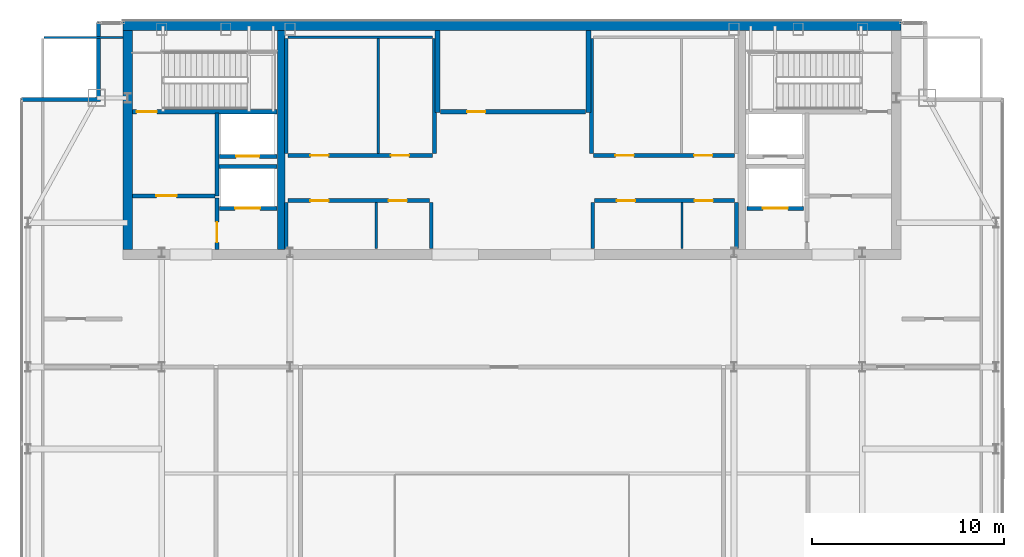
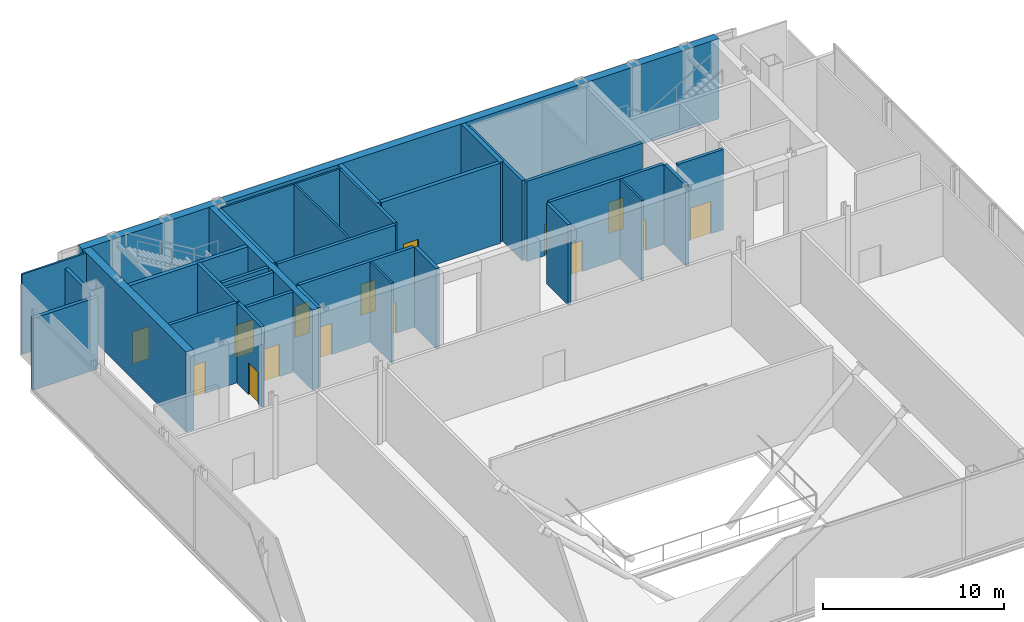
# One storey, part 20 of 23: 32 walls, 15 doors, 15 openings.
"""IFC4 building model written with IfcOpenShell, lengths in metres."""

from ifc_helpers import new_model, si_unit, direction, frame, frame_2d, origin, place, context, subcontext, project, spatial, rectangle, extrude, material, layer, layer_set, type_object, element, fill, save


model = new_model("IFC4")

# Units and contexts
model_context = context("Model", 3, precision=1e-05, world=origin(), true_north=direction((0.0, 1.0)))
body_context = subcontext(model_context, "Body", "Model", "MODEL_VIEW")
ifc_project = project(units=[si_unit("LENGTHUNIT", "METRE"), si_unit("AREAUNIT", "SQUARE_METRE"), si_unit("VOLUMEUNIT", "CUBIC_METRE"), si_unit("PLANEANGLEUNIT", "RADIAN"), si_unit("MASSUNIT", "GRAM", prefix="KILO")], contexts=[model_context])

# Site, building, storey
site_placement = place(None, origin())
site = spatial("IfcSite", under=ifc_project, at=site_placement, CompositionType="ELEMENT")
building_placement = place(site_placement, origin())
building = spatial("IfcBuilding", under=site, at=building_placement, Name="Khoronbel Lancet Exchange", CompositionType="ELEMENT")
storey_placement = place(building_placement, frame((0.0, 0.0, 356.199951171875)))
storey = spatial("IfcBuildingStorey", under=building, at=storey_placement, Name="L92", CompositionType="ELEMENT", Elevation=356.199951171875)

# Walls
ifc_material_1 = material(Name="Concrete C60/75", Category="concrete")
ifc_layer_1 = layer(ifc_material_1, 0.5, Name="Concrete C60/75")
ifc_layer_set_1 = layer_set([ifc_layer_1], Name="Concrete C60/75")
wall_type_1 = type_object("IfcWallType", Name="WL-CW4", PredefinedType="SHEAR", material=ifc_layer_set_1)
wall_1_placement = place(storey_placement, frame((16.199951171875, 53.449951171875, 0.0), z_axis=(0.0, 0.0, 1.0), x_axis=(1.0, 0.0, 0.0)))
element("IfcWall", 1, at=wall_1_placement, inside=storey, type_object=wall_type_1, Name="Level L92 rear core north shear wall", PredefinedType="SHEAR", context=body_context, shape_type="SweptSolid", body=[
    extrude(rectangle(XDim=40.5, YDim=0.5, at=frame_2d((20.25, 0.0))), origin(), (0.0, 0.0, 1.0), 5.400146484375),
])
wall_2_placement = place(storey_placement, frame((16.449951171875, 41.800048828125, 0.0), z_axis=(0.0, 0.0, 1.0), x_axis=(0.0, 1.0, 0.0)))
element("IfcWall", 2, at=wall_2_placement, inside=storey, type_object=wall_type_1, Name="Level L92 rear core west shear wall", PredefinedType="SHEAR", context=body_context, shape_type="SweptSolid", body=[
    extrude(rectangle(XDim=11.39990234375, YDim=0.5, at=frame_2d((5.699951171875, 0.0))), origin(), (0.0, 0.0, 1.0), 5.400146484375),
])
ifc_material_2 = material(Name="Precast concrete C40/50", Category="concrete")
ifc_layer_2 = layer(ifc_material_2, 0.25, Name="Precast concrete C40/50")
ifc_layer_set_2 = layer_set([ifc_layer_2], Name="Precast concrete C40/50")
wall_type_2 = type_object("IfcWallType", Name="WL-EXT250", PredefinedType="SOLIDWALL", material=ifc_layer_set_2)
wall_3_placement = place(storey_placement, frame((10.919921875, 49.610107421875, 0.0), z_axis=(0.0, 0.0, 1.0), x_axis=(1.0, 0.0, 0.0)))
element("IfcWall", 3, at=wall_3_placement, inside=storey, type_object=wall_type_2, Name="Level L92 notched-corner limestone pier 04", PredefinedType="SOLIDWALL", context=body_context, shape_type="SweptSolid", body=[
    extrude(rectangle(XDim=4.130126953125, YDim=0.219970703125, at=frame_2d((2.06494140625, 0.0))), origin(), (0.0, 0.0, 1.0), 4.840087890625),
])
wall_4_placement = place(storey_placement, frame((14.93994140625, 49.719970703125, 0.0), z_axis=(0.0, 0.0, 1.0), x_axis=(0.0, 1.0, 0.0)))
element("IfcWall", 4, at=wall_4_placement, inside=storey, type_object=wall_type_2, Name="Level L92 notched-corner limestone pier 05", PredefinedType="SOLIDWALL", context=body_context, shape_type="SweptSolid", body=[
    extrude(rectangle(XDim=3.909912109375, YDim=0.219970703125, at=frame_2d((1.955078125, 0.0))), origin(), (0.0, 0.0, 1.0), 4.840087890625),
])
ifc_material_3 = material(Name="Acoustic Metal-Stud & Mineral-Wool Gypsum Partition 120 mm", Category="gypsum")
ifc_layer_3 = layer(ifc_material_3, 0.1201171875, Name="Acoustic Metal-Stud & Mineral-Wool Gypsum Partition 120 mm")
ifc_layer_set_3 = layer_set([ifc_layer_3], Name="Acoustic Metal-Stud & Mineral-Wool Gypsum Partition 120 mm")
wall_type_3 = type_object("IfcWallType", Name="WL-PRT120", PredefinedType="PARTITIONING", material=ifc_layer_set_3)
wall_5_placement = place(storey_placement, frame((12.094970703125, 52.840087890625, 0.0), z_axis=(0.0, 0.0, 1.0), x_axis=(1.0, 0.0, 0.0)))
element("IfcWall", 5, at=wall_5_placement, inside=storey, type_object=wall_type_3, Name="Level L92 interior partition PW-LIN-NW", PredefinedType="PARTITIONING", context=body_context, shape_type="SweptSolid", body=[
    extrude(rectangle(XDim=4.10498046875, YDim=0.1201171875, at=frame_2d((2.052490234375, 0.0))), origin(), (0.0, 0.0, 1.0), 5.400146484375),
])
ifc_material_4 = material(Name="Fire-Rated Metal-Stud & Mineral-Wool Gypsum Partition 120 mm", Category="gypsum")
ifc_layer_4 = layer(ifc_material_4, 0.1201171875, Name="Fire-Rated Metal-Stud & Mineral-Wool Gypsum Partition 120 mm")
ifc_layer_set_4 = layer_set([ifc_layer_4], Name="Fire-Rated Metal-Stud & Mineral-Wool Gypsum Partition 120 mm")
wall_type_4 = type_object("IfcWallType", Name="WL-PRT120F", PredefinedType="PARTITIONING", material=ifc_layer_set_4)
wall_6_placement = place(storey_placement, frame((24.804931640625, 52.860107421875, 0.0), z_axis=(0.0, 0.0, 1.0), x_axis=(1.0, 0.0, 0.0)))
element("IfcWall", 6, at=wall_6_placement, inside=storey, type_object=wall_type_4, Name="Level L92 interior partition CW-PL-RN", PredefinedType="PARTITIONING", context=body_context, shape_type="SweptSolid", body=[
    extrude(rectangle(XDim=7.510009765625, YDim=0.1201171875, at=frame_2d((3.7548828125, 0.0))), origin(), (0.0, 0.0, 1.0), 5.400146484375),
])
wall_7_placement = place(storey_placement, frame((29.486328125, 46.804931640625, 0.0), z_axis=(0.0, 0.0, 1.0), x_axis=(0.0, 1.0, 0.0)))
element("IfcWall", 7, at=wall_7_placement, inside=storey, type_object=wall_type_4, Name="Level L92 interior partition CW-PL-RS2", PredefinedType="PARTITIONING", context=body_context, shape_type="SweptSolid", body=[
    extrude(rectangle(XDim=5.989990234375, YDim=0.1201171875, at=frame_2d((2.9951171875, 0.0))), origin(), (0.0, 0.0, 1.0), 5.400146484375),
])
for number, where, z_axis, x_axis, name in (
    (8, (29.381103515625, 41.85009765625, 0.0), (0.0, 0.0, 1.0), (0.0, 1.0, 0.0), "Level L92 interior partition CW-PM-RS2"),
    (9, (45.293701171875, 41.85009765625, 0.0), (0.0, 0.0, 1.0), (0.0, 1.0, 0.0), "Level L92 interior partition CW-PX-RS2"),
):
    element("IfcWall", number, at=place(storey_placement, frame(where, z_axis=z_axis, x_axis=x_axis)), inside=storey, type_object=wall_type_4, Name=name, PredefinedType="PARTITIONING", context=body_context, shape_type="SweptSolid", body=[
        extrude(rectangle(XDim=2.39501953125, YDim=0.1201171875, at=frame_2d((1.197509765625, 0.0))), origin(), (0.0, 0.0, 1.0), 5.400146484375),
    ])

# Wall, opening, door
ifc_material_5 = material(Name="Autoclaved Aerated Concrete Blockwork 200 mm", Category="masonry")
ifc_layer_5 = layer(ifc_material_5, 0.199951171875, Name="Autoclaved Aerated Concrete Blockwork 200 mm")
ifc_layer_set_5 = layer_set([ifc_layer_5], Name="Autoclaved Aerated Concrete Blockwork 200 mm")
wall_type_5 = type_object("IfcWallType", Name="WL-PRT200", PredefinedType="PARTITIONING", material=ifc_layer_set_5)
wall_8_placement = place(storey_placement, frame((51.610107421875, 43.949951171875, 0.0), z_axis=(0.0, 0.0, 1.0), x_axis=(-1.0, 0.0, 0.0)))
wall_8 = element("IfcWall", 10, at=wall_8_placement, inside=storey, type_object=wall_type_5, Name="Level L92 elevator hoistway landing front wall SVLE", PredefinedType="PARTITIONING", context=body_context, shape_type="SweptSolid", body=[
    extrude(rectangle(XDim=2.920166015625, YDim=0.199951171875, at=frame_2d((1.4599609375, 0.0))), origin(), (0.0, 0.0, 1.0), 5.400146484375),
])
opening_1_placement = place(wall_8_placement, frame((0.81005859375, 0.0, 0.0)))
opening_1 = element("IfcOpeningElement", 11, at=opening_1_placement, cuts=wall_8, Name="Opening LD-SVL2", PredefinedType="OPENING", context=body_context, shape_type="SweptSolid", body=[
    extrude(rectangle(XDim=1.300048828125, YDim=2.179931640625, at=frame_2d((0.64990234375, 1.08984375))), frame((0.0, 0.10986328125, 0.0), z_axis=(0.0, -1.0, 0.0), x_axis=(1.0, 0.0, 0.0)), (0.0, 0.0, 1.0), 0.219970703125),
])
ifc_material_6 = material(Name="Heavy-Duty Bi-Parting Goods Lift Landing Door", Category="steel")
door_type_1 = type_object("IfcDoorType", Name="DR-LD-SVL", OperationType="NOTDEFINED", PredefinedType="DOOR", material=ifc_material_6)
door_1_placement = place(opening_1_placement, origin())
door_1 = element("IfcDoor", 12, at=door_1_placement, inside=storey, type_object=door_type_1, Name="Elevator landing sliding door LD-SVL2 L92", OperationType="SLIDING_TO_LEFT", OverallHeight=2.179931640625, OverallWidth=1.300048828125, PredefinedType="DOOR", context=body_context, shape_type="SweptSolid", body=[
    extrude(rectangle(XDim=1.300048828125, YDim=2.179931640625, at=frame_2d((0.64990234375, 1.08984375))), frame((0.0, 0.02490234375, 0.0), z_axis=(0.0, -1.0, 0.0), x_axis=(1.0, 0.0, 0.0)), (0.0, 0.0, 1.0), 0.050048828125),
])
fill(opening_1, door_1)

wall_9_placement = place(storey_placement, frame((24.2099609375, 43.949951171875, 0.0), z_axis=(0.0, 0.0, 1.0), x_axis=(-1.0, 0.0, 0.0)))
wall_9 = element("IfcWall", 13, at=wall_9_placement, inside=storey, type_object=wall_type_5, Name="Level L92 elevator hoistway landing front wall SVLW", PredefinedType="PARTITIONING", context=body_context, shape_type="SweptSolid", body=[
    extrude(rectangle(XDim=2.969970703125, YDim=0.199951171875, at=frame_2d((1.48486328125, 0.0))), origin(), (0.0, 0.0, 1.0), 5.400146484375),
])
opening_2_placement = place(wall_9_placement, frame((0.860107421875, 0.0, 0.0)))
opening_2 = element("IfcOpeningElement", 14, at=opening_2_placement, cuts=wall_9, Name="Opening LD-SVL1", PredefinedType="OPENING", context=body_context, shape_type="SweptSolid", body=[
    extrude(rectangle(XDim=1.300048828125, YDim=2.179931640625, at=frame_2d((0.64990234375, 1.08984375))), frame((0.0, 0.10986328125, 0.0), z_axis=(0.0, -1.0, 0.0), x_axis=(1.0, 0.0, 0.0)), (0.0, 0.0, 1.0), 0.219970703125),
])
door_2_placement = place(opening_2_placement, origin())
door_2 = element("IfcDoor", 15, at=door_2_placement, inside=storey, type_object=door_type_1, Name="Elevator landing sliding door LD-SVL1 L92", OperationType="SLIDING_TO_LEFT", OverallHeight=2.179931640625, OverallWidth=1.300048828125, PredefinedType="DOOR", context=body_context, shape_type="SweptSolid", body=[
    extrude(rectangle(XDim=1.300048828125, YDim=2.179931640625, at=frame_2d((0.64990234375, 1.08984375))), frame((0.0, 0.02490234375, 0.0), z_axis=(0.0, -1.0, 0.0), x_axis=(1.0, 0.0, 0.0)), (0.0, 0.0, 1.0), 0.050048828125),
])
fill(opening_2, door_2)

wall_10_placement = place(storey_placement, frame((24.2099609375, 46.64990234375, 0.0), z_axis=(0.0, 0.0, 1.0), x_axis=(-1.0, 0.0, 0.0)))
wall_10 = element("IfcWall", 16, at=wall_10_placement, inside=storey, type_object=wall_type_5, Name="Level L92 elevator hoistway landing front wall FFLW", PredefinedType="PARTITIONING", context=body_context, shape_type="SweptSolid", body=[
    extrude(rectangle(XDim=2.969970703125, YDim=0.199951171875, at=frame_2d((1.48486328125, 0.0))), origin(), (0.0, 0.0, 1.0), 5.400146484375),
])
opening_3_placement = place(wall_10_placement, frame((0.909912109375, 0.0, 0.0)))
opening_3 = element("IfcOpeningElement", 17, at=opening_3_placement, cuts=wall_10, Name="Opening LD-FFL1", PredefinedType="OPENING", context=body_context, shape_type="SweptSolid", body=[
    extrude(rectangle(XDim=1.199951171875, YDim=2.179931640625, at=frame_2d((0.60009765625, 1.08984375))), frame((0.0, 0.10986328125, 0.0), z_axis=(0.0, -1.0, 0.0), x_axis=(1.0, 0.0, 0.0)), (0.0, 0.0, 1.0), 0.219970703125),
])
ifc_material_7 = material(Name="Fire-Rated Stainless Bi-Parting Firefighting Lift Door", Category="steel")
door_type_2 = type_object("IfcDoorType", Name="DR-LD-FFL", OperationType="NOTDEFINED", PredefinedType="DOOR", material=ifc_material_7)
door_3_placement = place(opening_3_placement, origin())
door_3 = element("IfcDoor", 18, at=door_3_placement, inside=storey, type_object=door_type_2, Name="Elevator landing sliding door LD-FFL1 L92", OperationType="SLIDING_TO_LEFT", OverallHeight=2.179931640625, OverallWidth=1.199951171875, PredefinedType="DOOR", context=body_context, shape_type="SweptSolid", body=[
    extrude(rectangle(XDim=1.199951171875, YDim=2.179931640625, at=frame_2d((0.60009765625, 1.08984375))), frame((0.0, 0.02490234375, 0.0), z_axis=(0.0, -1.0, 0.0), x_axis=(1.0, 0.0, 0.0)), (0.0, 0.0, 1.0), 0.050048828125),
])
fill(opening_3, door_3)

# Wall
wall_11_placement = place(storey_placement, frame((21.10009765625, 44.60009765625, 0.0), z_axis=(0.0, 0.0, 1.0), x_axis=(0.0, 1.0, 0.0)))
element("IfcWall", 19, at=wall_11_placement, inside=storey, type_object=wall_type_5, Name="Level L92 interior partition CW-FFLW-E", PredefinedType="PARTITIONING", context=body_context, shape_type="SweptSolid", body=[
    extrude(rectangle(XDim=4.2998046875, YDim=0.199951171875, at=frame_2d((2.14990234375, 0.0))), origin(), (0.0, 0.0, 1.0), 5.400146484375),
])

# Wall, opening, door
wall_12_placement = place(storey_placement, frame((16.699951171875, 44.60009765625, 0.0), z_axis=(0.0, 0.0, 1.0), x_axis=(1.0, 0.0, 0.0)))
wall_12 = element("IfcWall", 20, at=wall_12_placement, inside=storey, type_object=wall_type_5, Name="Level L92 interior partition CW-FFLW-S", PredefinedType="PARTITIONING", context=body_context, shape_type="SweptSolid", body=[
    extrude(rectangle(XDim=4.300048828125, YDim=0.199951171875, at=frame_2d((2.14990234375, 0.0))), origin(), (0.0, 0.0, 1.0), 5.400146484375),
])
opening_4_placement = place(wall_12_placement, frame((1.25, 0.0, 0.0)))
opening_4 = element("IfcOpeningElement", 21, at=opening_4_placement, cuts=wall_12, Name="Opening FD1", PredefinedType="OPENING", context=body_context, shape_type="SweptSolid", body=[
    extrude(rectangle(XDim=1.050048828125, YDim=2.14990234375, at=frame_2d((0.52490234375, 1.074951171875))), frame((0.0, 0.10986328125, 0.0), z_axis=(0.0, -1.0, 0.0), x_axis=(1.0, 0.0, 0.0)), (0.0, 0.0, 1.0), 0.219970703125),
])
ifc_material_8 = material(Name="Fire-Rated Painted Steel Door Assembly", Category="steel")
door_type_3 = type_object("IfcDoorType", Name="DR-FD1", OperationType="NOTDEFINED", PredefinedType="DOOR", material=ifc_material_8)
door_4_placement = place(opening_4_placement, origin())
door_4 = element("IfcDoor", 22, at=door_4_placement, inside=storey, type_object=door_type_3, Name="West firefighting lobby FD90S door L92-1", OperationType="SINGLE_SWING_LEFT", OverallHeight=2.14990234375, OverallWidth=1.050048828125, PredefinedType="DOOR", context=body_context, shape_type="SweptSolid", body=[
    extrude(rectangle(XDim=1.050048828125, YDim=2.14990234375, at=frame_2d((0.52490234375, 1.074951171875))), frame((0.0, 0.02490234375, 0.0), z_axis=(0.0, -1.0, 0.0), x_axis=(1.0, 0.0, 0.0)), (0.0, 0.0, 1.0), 0.050048828125),
])
fill(opening_4, door_4)

# Wall
wall_13_placement = place(storey_placement, frame((21.199951171875, 46.1201171875, 0.0), z_axis=(0.0, 0.0, 1.0), x_axis=(1.0, 0.0, 0.0)))
element("IfcWall", 23, at=wall_13_placement, inside=storey, type_object=wall_type_5, Name="Level L92 interior partition CW-FFL1-S", PredefinedType="PARTITIONING", context=body_context, shape_type="SweptSolid", body=[
    extrude(rectangle(XDim=3.02001953125, YDim=0.199951171875, at=frame_2d((1.510009765625, 0.0))), origin(), (0.0, 0.0, 1.0), 5.400146484375),
])

# Wall, opening, door
wall_14_placement = place(storey_placement, frame((21.10009765625, 41.800048828125, 0.0), z_axis=(0.0, 0.0, 1.0), x_axis=(0.0, 1.0, 0.0)))
wall_14 = element("IfcWall", 24, at=wall_14_placement, inside=storey, type_object=wall_type_5, Name="Level L92 interior partition CW-SVLW-W", PredefinedType="PARTITIONING", context=body_context, shape_type="SweptSolid", body=[
    extrude(rectangle(XDim=2.695068359375, YDim=0.199951171875, at=frame_2d((1.34765625, 0.0))), origin(), (0.0, 0.0, 1.0), 5.400146484375),
])
opening_5_placement = place(wall_14_placement, frame((0.3798828125, 0.0, 0.0)))
opening_5 = element("IfcOpeningElement", 25, at=opening_5_placement, cuts=wall_14, Name="Opening FD1", PredefinedType="OPENING", context=body_context, shape_type="SweptSolid", body=[
    extrude(rectangle(XDim=1.050048828125, YDim=2.14990234375, at=frame_2d((0.52490234375, 1.074951171875))), frame((0.0, 0.10986328125, 0.0), z_axis=(0.0, -1.0, 0.0), x_axis=(1.0, 0.0, 0.0)), (0.0, 0.0, 1.0), 0.219970703125),
])
door_5_placement = place(opening_5_placement, origin())
door_5 = element("IfcDoor", 26, at=door_5_placement, inside=storey, type_object=door_type_3, Name="West service lift lobby door L92-1", OperationType="SINGLE_SWING_RIGHT", OverallHeight=2.14990234375, OverallWidth=1.050048828125, PredefinedType="DOOR", context=body_context, shape_type="SweptSolid", body=[
    extrude(rectangle(XDim=1.050048828125, YDim=2.14990234375, at=frame_2d((0.52490234375, 1.074951171875))), frame((0.0, 0.02490234375, 0.0), z_axis=(0.0, -1.0, 0.0), x_axis=(1.0, 0.0, 0.0)), (0.0, 0.0, 1.0), 0.050048828125),
])
fill(opening_5, door_5)

# Walls
for number, where, z_axis, x_axis, name in (
    (27, (24.699951171875, 46.804931640625, 0.0), (0.0, 0.0, 1.0), (0.0, 1.0, 0.0), "Level L92 interior partition CW-PL-RW"),
    (28, (32.419921875, 46.804931640625, 0.0), (0.0, 0.0, 1.0), (0.0, 1.0, 0.0), "Level L92 interior partition CW-PL-RE"),
):
    element("IfcWall", number, at=place(storey_placement, frame(where, z_axis=z_axis, x_axis=x_axis)), inside=storey, type_object=wall_type_5, Name=name, PredefinedType="PARTITIONING", context=body_context, shape_type="SweptSolid", body=[
        extrude(rectangle(XDim=5.989990234375, YDim=0.199951171875, at=frame_2d((2.9951171875, 0.0))), origin(), (0.0, 0.0, 1.0), 5.400146484375),
    ])

# Wall, openings, doors
wall_15_placement = place(storey_placement, frame((24.804931640625, 46.699951171875, 0.0), z_axis=(0.0, 0.0, 1.0), x_axis=(1.0, 0.0, 0.0)))
wall_15 = element("IfcWall", 29, at=wall_15_placement, inside=storey, type_object=wall_type_5, Name="Level L92 interior partition CW-PL-RF", PredefinedType="PARTITIONING", context=body_context, shape_type="SweptSolid", body=[
    extrude(rectangle(XDim=7.510009765625, YDim=0.199951171875, at=frame_2d((3.7548828125, 0.0))), origin(), (0.0, 0.0, 1.0), 5.400146484375),
])
opening_6_placement = place(wall_15_placement, frame((1.14990234375, 0.0, 0.0)))
opening_6 = element("IfcOpeningElement", 30, at=opening_6_placement, cuts=wall_15, Name="Opening FD3", PredefinedType="OPENING", context=body_context, shape_type="SweptSolid", body=[
    extrude(rectangle(XDim=0.949951171875, YDim=2.10009765625, at=frame_2d((0.47509765625, 1.050048828125))), frame((0.0, 0.10986328125, 0.0), z_axis=(0.0, -1.0, 0.0), x_axis=(1.0, 0.0, 0.0)), (0.0, 0.0, 1.0), 0.219970703125),
])
opening_7_placement = place(wall_15_placement, frame((5.33642578125, 0.0, 0.0)))
opening_7 = element("IfcOpeningElement", 31, at=opening_7_placement, cuts=wall_15, Name="Opening FD3", PredefinedType="OPENING", context=body_context, shape_type="SweptSolid", body=[
    extrude(rectangle(XDim=0.949951171875, YDim=2.10009765625, at=frame_2d((0.47509765625, 1.050048828125))), frame((0.0, 0.10986328125, 0.0), z_axis=(0.0, -1.0, 0.0), x_axis=(1.0, 0.0, 0.0)), (0.0, 0.0, 1.0), 0.219970703125),
])
ifc_material_9 = material(Name="Fire-Rated Steel Plant & Riser Door Assembly", Category="steel")
door_type_4 = type_object("IfcDoorType", Name="DR-FD3", OperationType="NOTDEFINED", PredefinedType="DOOR", material=ifc_material_9)
door_6_placement = place(opening_6_placement, origin())
door_6 = element("IfcDoor", 32, at=door_6_placement, inside=storey, type_object=door_type_4, Name="Reclaimed PL C door L92-1", OperationType="SINGLE_SWING_LEFT", OverallHeight=2.10009765625, OverallWidth=0.949951171875, PredefinedType="DOOR", context=body_context, shape_type="SweptSolid", body=[
    extrude(rectangle(XDim=0.949951171875, YDim=2.10009765625, at=frame_2d((0.47509765625, 1.050048828125))), frame((0.0, 0.02490234375, 0.0), z_axis=(0.0, -1.0, 0.0), x_axis=(1.0, 0.0, 0.0)), (0.0, 0.0, 1.0), 0.050048828125),
])
fill(opening_6, door_6)
door_7_placement = place(opening_7_placement, origin())
door_7 = element("IfcDoor", 33, at=door_7_placement, inside=storey, type_object=door_type_4, Name="Reclaimed PL D door L92-2", OperationType="SINGLE_SWING_RIGHT", OverallHeight=2.10009765625, OverallWidth=0.949951171875, PredefinedType="DOOR", context=body_context, shape_type="SweptSolid", body=[
    extrude(rectangle(XDim=0.949951171875, YDim=2.10009765625, at=frame_2d((0.47509765625, 1.050048828125))), frame((0.0, 0.02490234375, 0.0), z_axis=(0.0, -1.0, 0.0), x_axis=(1.0, 0.0, 0.0)), (0.0, 0.0, 1.0), 0.050048828125),
])
fill(opening_7, door_7)

# Walls
for number, where, z_axis, x_axis, name in (
    (34, (24.699951171875, 41.85009765625, 0.0), (0.0, 0.0, 1.0), (0.0, 1.0, 0.0), "Level L92 interior partition CW-PM-RW"),
    (35, (32.25, 41.85009765625, 0.0), (0.0, 0.0, 1.0), (0.0, 1.0, 0.0), "Level L92 interior partition CW-PM-RE"),
):
    element("IfcWall", number, at=place(storey_placement, frame(where, z_axis=z_axis, x_axis=x_axis)), inside=storey, type_object=wall_type_5, Name=name, PredefinedType="PARTITIONING", context=body_context, shape_type="SweptSolid", body=[
        extrude(rectangle(XDim=2.39501953125, YDim=0.199951171875, at=frame_2d((1.197509765625, 0.0))), origin(), (0.0, 0.0, 1.0), 5.400146484375),
    ])

# Wall, openings, doors
wall_16_placement = place(storey_placement, frame((24.804931640625, 44.35009765625, 0.0), z_axis=(0.0, 0.0, 1.0), x_axis=(1.0, 0.0, 0.0)))
wall_16 = element("IfcWall", 36, at=wall_16_placement, inside=storey, type_object=wall_type_5, Name="Level L92 interior partition CW-PM-RF", PredefinedType="PARTITIONING", context=body_context, shape_type="SweptSolid", body=[
    extrude(rectangle(XDim=7.340087890625, YDim=0.199951171875, at=frame_2d((3.669921875, 0.0))), origin(), (0.0, 0.0, 1.0), 5.400146484375),
])
opening_8_placement = place(wall_16_placement, frame((1.14990234375, 0.0, 0.0)))
opening_8 = element("IfcOpeningElement", 37, at=opening_8_placement, cuts=wall_16, Name="Opening FD3", PredefinedType="OPENING", context=body_context, shape_type="SweptSolid", body=[
    extrude(rectangle(XDim=0.949951171875, YDim=2.10009765625, at=frame_2d((0.47509765625, 1.050048828125))), frame((0.0, 0.10986328125, 0.0), z_axis=(0.0, -1.0, 0.0), x_axis=(1.0, 0.0, 0.0)), (0.0, 0.0, 1.0), 0.219970703125),
])
opening_9_placement = place(wall_16_placement, frame((5.23095703125, 0.0, 0.0)))
opening_9 = element("IfcOpeningElement", 38, at=opening_9_placement, cuts=wall_16, Name="Opening FD3", PredefinedType="OPENING", context=body_context, shape_type="SweptSolid", body=[
    extrude(rectangle(XDim=0.949951171875, YDim=2.10009765625, at=frame_2d((0.47509765625, 1.050048828125))), frame((0.0, 0.10986328125, 0.0), z_axis=(0.0, -1.0, 0.0), x_axis=(1.0, 0.0, 0.0)), (0.0, 0.0, 1.0), 0.219970703125),
])
door_8_placement = place(opening_8_placement, origin())
door_8 = element("IfcDoor", 39, at=door_8_placement, inside=storey, type_object=door_type_4, Name="Reclaimed PM C door L92-1", OperationType="SINGLE_SWING_LEFT", OverallHeight=2.10009765625, OverallWidth=0.949951171875, PredefinedType="DOOR", context=body_context, shape_type="SweptSolid", body=[
    extrude(rectangle(XDim=0.949951171875, YDim=2.10009765625, at=frame_2d((0.47509765625, 1.050048828125))), frame((0.0, 0.02490234375, 0.0), z_axis=(0.0, -1.0, 0.0), x_axis=(1.0, 0.0, 0.0)), (0.0, 0.0, 1.0), 0.050048828125),
])
fill(opening_8, door_8)
door_9_placement = place(opening_9_placement, origin())
door_9 = element("IfcDoor", 40, at=door_9_placement, inside=storey, type_object=door_type_4, Name="Reclaimed PM D door L92-2", OperationType="SINGLE_SWING_RIGHT", OverallHeight=2.10009765625, OverallWidth=0.949951171875, PredefinedType="DOOR", context=body_context, shape_type="SweptSolid", body=[
    extrude(rectangle(XDim=0.949951171875, YDim=2.10009765625, at=frame_2d((0.47509765625, 1.050048828125))), frame((0.0, 0.02490234375, 0.0), z_axis=(0.0, -1.0, 0.0), x_axis=(1.0, 0.0, 0.0)), (0.0, 0.0, 1.0), 0.050048828125),
])
fill(opening_9, door_9)

# Wall
wall_17_placement = place(storey_placement, frame((40.580078125, 46.804931640625, 0.0), z_axis=(0.0, 0.0, 1.0), x_axis=(0.0, 1.0, 0.0)))
element("IfcWall", 41, at=wall_17_placement, inside=storey, type_object=wall_type_5, Name="Level L92 interior partition CW-PH-RW", PredefinedType="PARTITIONING", context=body_context, shape_type="SweptSolid", body=[
    extrude(rectangle(XDim=5.989990234375, YDim=0.199951171875, at=frame_2d((2.9951171875, 0.0))), origin(), (0.0, 0.0, 1.0), 5.400146484375),
])

# Wall, openings, doors
wall_18_placement = place(storey_placement, frame((40.68505859375, 46.699951171875, 0.0), z_axis=(0.0, 0.0, 1.0), x_axis=(1.0, 0.0, 0.0)))
wall_18 = element("IfcWall", 42, at=wall_18_placement, inside=storey, type_object=wall_type_5, Name="Level L92 interior partition CW-PH-RF", PredefinedType="PARTITIONING", context=body_context, shape_type="SweptSolid", body=[
    extrude(rectangle(XDim=7.349853515625, YDim=0.199951171875, at=frame_2d((3.6748046875, 0.0))), origin(), (0.0, 0.0, 1.0), 5.400146484375),
])
opening_10_placement = place(wall_18_placement, frame((1.14990234375, 0.0, 0.0)))
opening_10 = element("IfcOpeningElement", 43, at=opening_10_placement, cuts=wall_18, Name="Opening FD3", PredefinedType="OPENING", context=body_context, shape_type="SweptSolid", body=[
    extrude(rectangle(XDim=0.949951171875, YDim=2.10009765625, at=frame_2d((0.47509765625, 1.050048828125))), frame((0.0, 0.10986328125, 0.0), z_axis=(0.0, -1.0, 0.0), x_axis=(1.0, 0.0, 0.0)), (0.0, 0.0, 1.0), 0.219970703125),
])
opening_11_placement = place(wall_18_placement, frame((5.2373046875, 0.0, 0.0)))
opening_11 = element("IfcOpeningElement", 44, at=opening_11_placement, cuts=wall_18, Name="Opening FD3", PredefinedType="OPENING", context=body_context, shape_type="SweptSolid", body=[
    extrude(rectangle(XDim=0.949951171875, YDim=2.10009765625, at=frame_2d((0.47509765625, 1.050048828125))), frame((0.0, 0.10986328125, 0.0), z_axis=(0.0, -1.0, 0.0), x_axis=(1.0, 0.0, 0.0)), (0.0, 0.0, 1.0), 0.219970703125),
])
door_10_placement = place(opening_10_placement, origin())
door_10 = element("IfcDoor", 45, at=door_10_placement, inside=storey, type_object=door_type_4, Name="Reclaimed PH C door L92-1", OperationType="SINGLE_SWING_LEFT", OverallHeight=2.10009765625, OverallWidth=0.949951171875, PredefinedType="DOOR", context=body_context, shape_type="SweptSolid", body=[
    extrude(rectangle(XDim=0.949951171875, YDim=2.10009765625, at=frame_2d((0.47509765625, 1.050048828125))), frame((0.0, 0.02490234375, 0.0), z_axis=(0.0, -1.0, 0.0), x_axis=(1.0, 0.0, 0.0)), (0.0, 0.0, 1.0), 0.050048828125),
])
fill(opening_10, door_10)
door_11_placement = place(opening_11_placement, origin())
door_11 = element("IfcDoor", 46, at=door_11_placement, inside=storey, type_object=door_type_4, Name="Reclaimed PH D door L92-2", OperationType="SINGLE_SWING_RIGHT", OverallHeight=2.10009765625, OverallWidth=0.949951171875, PredefinedType="DOOR", context=body_context, shape_type="SweptSolid", body=[
    extrude(rectangle(XDim=0.949951171875, YDim=2.10009765625, at=frame_2d((0.47509765625, 1.050048828125))), frame((0.0, 0.02490234375, 0.0), z_axis=(0.0, -1.0, 0.0), x_axis=(1.0, 0.0, 0.0)), (0.0, 0.0, 1.0), 0.050048828125),
])
fill(opening_11, door_11)

# Walls
for number, where, z_axis, x_axis, name in (
    (47, (40.64990234375, 41.85009765625, 0.0), (0.0, 0.0, 1.0), (0.0, 1.0, 0.0), "Level L92 interior partition CW-PX-RW"),
    (48, (48.139892578125, 41.85009765625, 0.0), (0.0, 0.0, 1.0), (0.0, 1.0, 0.0), "Level L92 interior partition CW-PX-RE"),
):
    element("IfcWall", number, at=place(storey_placement, frame(where, z_axis=z_axis, x_axis=x_axis)), inside=storey, type_object=wall_type_5, Name=name, PredefinedType="PARTITIONING", context=body_context, shape_type="SweptSolid", body=[
        extrude(rectangle(XDim=2.39501953125, YDim=0.199951171875, at=frame_2d((1.197509765625, 0.0))), origin(), (0.0, 0.0, 1.0), 5.400146484375),
    ])

# Wall, openings, doors
wall_19_placement = place(storey_placement, frame((40.7548828125, 44.35009765625, 0.0), z_axis=(0.0, 0.0, 1.0), x_axis=(1.0, 0.0, 0.0)))
wall_19 = element("IfcWall", 49, at=wall_19_placement, inside=storey, type_object=wall_type_5, Name="Level L92 interior partition CW-PX-RF", PredefinedType="PARTITIONING", context=body_context, shape_type="SweptSolid", body=[
    extrude(rectangle(XDim=7.280029296875, YDim=0.199951171875, at=frame_2d((3.64013671875, 0.0))), origin(), (0.0, 0.0, 1.0), 5.400146484375),
])
opening_12_placement = place(wall_19_placement, frame((1.14990234375, 0.0, 0.0)))
opening_12 = element("IfcOpeningElement", 50, at=opening_12_placement, cuts=wall_19, Name="Opening FD3", PredefinedType="OPENING", context=body_context, shape_type="SweptSolid", body=[
    extrude(rectangle(XDim=0.949951171875, YDim=2.10009765625, at=frame_2d((0.47509765625, 1.050048828125))), frame((0.0, 0.10986328125, 0.0), z_axis=(0.0, -1.0, 0.0), x_axis=(1.0, 0.0, 0.0)), (0.0, 0.0, 1.0), 0.219970703125),
])
opening_13_placement = place(wall_19_placement, frame((5.19384765625, 0.0, 0.0)))
opening_13 = element("IfcOpeningElement", 51, at=opening_13_placement, cuts=wall_19, Name="Opening FD3", PredefinedType="OPENING", context=body_context, shape_type="SweptSolid", body=[
    extrude(rectangle(XDim=0.949951171875, YDim=2.10009765625, at=frame_2d((0.47509765625, 1.050048828125))), frame((0.0, 0.10986328125, 0.0), z_axis=(0.0, -1.0, 0.0), x_axis=(1.0, 0.0, 0.0)), (0.0, 0.0, 1.0), 0.219970703125),
])
door_12_placement = place(opening_12_placement, origin())
door_12 = element("IfcDoor", 52, at=door_12_placement, inside=storey, type_object=door_type_4, Name="Reclaimed PX C door L92-1", OperationType="SINGLE_SWING_LEFT", OverallHeight=2.10009765625, OverallWidth=0.949951171875, PredefinedType="DOOR", context=body_context, shape_type="SweptSolid", body=[
    extrude(rectangle(XDim=0.949951171875, YDim=2.10009765625, at=frame_2d((0.47509765625, 1.050048828125))), frame((0.0, 0.02490234375, 0.0), z_axis=(0.0, -1.0, 0.0), x_axis=(1.0, 0.0, 0.0)), (0.0, 0.0, 1.0), 0.050048828125),
])
fill(opening_12, door_12)
door_13_placement = place(opening_13_placement, origin())
door_13 = element("IfcDoor", 53, at=door_13_placement, inside=storey, type_object=door_type_4, Name="Reclaimed PX D door L92-2", OperationType="SINGLE_SWING_RIGHT", OverallHeight=2.10009765625, OverallWidth=0.949951171875, PredefinedType="DOOR", context=body_context, shape_type="SweptSolid", body=[
    extrude(rectangle(XDim=0.949951171875, YDim=2.10009765625, at=frame_2d((0.47509765625, 1.050048828125))), frame((0.0, 0.02490234375, 0.0), z_axis=(0.0, -1.0, 0.0), x_axis=(1.0, 0.0, 0.0)), (0.0, 0.0, 1.0), 0.050048828125),
])
fill(opening_13, door_13)

# Walls
ifc_layer_6 = layer(ifc_material_1, 0.39990234375, Name="Concrete C60/75")
ifc_layer_set_6 = layer_set([ifc_layer_6], Name="Concrete C60/75")
wall_type_6 = type_object("IfcWallType", Name="WL-SW2", PredefinedType="SHEAR", material=ifc_layer_set_6)
wall_20_placement = place(storey_placement, frame((24.449951171875, 41.800048828125, 0.0), z_axis=(0.0, 0.0, 1.0), x_axis=(0.0, 1.0, 0.0)))
element("IfcWall", 54, at=wall_20_placement, inside=storey, type_object=wall_type_6, Name="Level L92 rear core internal spine shear wall IW", PredefinedType="SHEAR", context=body_context, shape_type="SweptSolid", body=[
    extrude(rectangle(XDim=11.39990234375, YDim=0.39990234375, at=frame_2d((5.699951171875, 0.0))), origin(), (0.0, 0.0, 1.0), 5.400146484375),
])
ifc_layer_7 = layer(ifc_material_1, 0.260009765625, Name="Concrete C60/75")
ifc_layer_set_7 = layer_set([ifc_layer_7], Name="Concrete C60/75")
wall_type_7 = type_object("IfcWallType", Name="WL-SW3", PredefinedType="SHEAR", material=ifc_layer_set_7)
for number, where, z_axis, x_axis, name in (
    (55, (32.580078125, 48.949951171875, 0.0), (0.0, 0.0, 1.0), (0.0, 1.0, 0.0), "Level L92 central stairwell structural shear wall ST3W"),
    (56, (40.419921875, 48.949951171875, 0.0), (0.0, 0.0, 1.0), (0.0, 1.0, 0.0), "Level L92 central stairwell structural shear wall ST3E"),
):
    element("IfcWall", number, at=place(storey_placement, frame(where, z_axis=z_axis, x_axis=x_axis)), inside=storey, type_object=wall_type_7, Name=name, PredefinedType="SHEAR", context=body_context, shape_type="SweptSolid", body=[
        extrude(rectangle(XDim=4.25, YDim=0.260009765625, at=frame_2d((2.125, 0.0))), origin(), (0.0, 0.0, 1.0), 5.400146484375),
    ])

# Wall, opening, door
wall_21_placement = place(storey_placement, frame((16.699951171875, 48.97998046875, 0.0), z_axis=(0.0, 0.0, 1.0), x_axis=(1.0, 0.0, 0.0)))
wall_21 = element("IfcWall", 57, at=wall_21_placement, inside=storey, type_object=wall_type_7, Name="Level L92 west stairwell structural south wall", PredefinedType="SHEAR", context=body_context, shape_type="SweptSolid", body=[
    extrude(rectangle(XDim=7.52001953125, YDim=0.239990234375, at=frame_2d((3.760009765625, 0.0))), origin(), (0.0, 0.0, 1.0), 5.400146484375),
])
opening_14_placement = place(wall_21_placement, frame((0.219970703125, 0.0, 0.0)))
opening_14 = element("IfcOpeningElement", 58, at=opening_14_placement, cuts=wall_21, Name="Opening SD1", PredefinedType="OPENING", context=body_context, shape_type="SweptSolid", body=[
    extrude(rectangle(XDim=1.050048828125, YDim=2.14990234375, at=frame_2d((0.52490234375, 1.074951171875))), frame((0.0, 0.1298828125, 0.0), z_axis=(0.0, -1.0, 0.0), x_axis=(1.0, 0.0, 0.0)), (0.0, 0.0, 1.0), 0.260009765625),
])
ifc_material_10 = material(Name="Fire-Rated Steel Stairwell Door Assembly", Category="steel")
door_type_5 = type_object("IfcDoorType", Name="DR-SD1", OperationType="NOTDEFINED", PredefinedType="DOOR", material=ifc_material_10)
door_14_placement = place(opening_14_placement, origin())
door_14 = element("IfcDoor", 59, at=door_14_placement, inside=storey, type_object=door_type_5, Name="Protected exit stair ST1 door L92", OperationType="SINGLE_SWING_LEFT", OverallHeight=2.14990234375, OverallWidth=1.050048828125, PredefinedType="DOOR", context=body_context, shape_type="SweptSolid", body=[
    extrude(rectangle(XDim=1.050048828125, YDim=2.14990234375, at=frame_2d((0.52490234375, 1.074951171875))), frame((0.0, 0.02490234375, 0.0), z_axis=(0.0, -1.0, 0.0), x_axis=(1.0, 0.0, 0.0)), (0.0, 0.0, 1.0), 0.050048828125),
])
fill(opening_14, door_14)

wall_22_placement = place(storey_placement, frame((32.719970703125, 48.97998046875, 0.0), z_axis=(0.0, 0.0, 1.0), x_axis=(1.0, 0.0, 0.0)))
wall_22 = element("IfcWall", 60, at=wall_22_placement, inside=storey, type_object=wall_type_7, Name="Level L92 central stairwell structural south wall", PredefinedType="SHEAR", context=body_context, shape_type="SweptSolid", body=[
    extrude(rectangle(XDim=7.56005859375, YDim=0.239990234375, at=frame_2d((3.780029296875, 0.0))), origin(), (0.0, 0.0, 1.0), 5.400146484375),
])
opening_15_placement = place(wall_22_placement, frame((1.39990234375, 0.0, 0.0)))
opening_15 = element("IfcOpeningElement", 61, at=opening_15_placement, cuts=wall_22, Name="Opening FD3", PredefinedType="OPENING", context=body_context, shape_type="SweptSolid", body=[
    extrude(rectangle(XDim=0.949951171875, YDim=2.10009765625, at=frame_2d((0.47509765625, 1.050048828125))), frame((0.0, 0.1298828125, 0.0), z_axis=(0.0, -1.0, 0.0), x_axis=(1.0, 0.0, 0.0)), (0.0, 0.0, 1.0), 0.260009765625),
])
door_15_placement = place(opening_15_placement, origin())
door_15 = element("IfcDoor", 62, at=door_15_placement, inside=storey, type_object=door_type_4, Name="Crown smoke extract plant door L92", OperationType="SINGLE_SWING_RIGHT", OverallHeight=2.10009765625, OverallWidth=0.949951171875, PredefinedType="DOOR", context=body_context, shape_type="SweptSolid", body=[
    extrude(rectangle(XDim=0.949951171875, YDim=2.10009765625, at=frame_2d((0.47509765625, 1.050048828125))), frame((0.0, 0.02490234375, 0.0), z_axis=(0.0, -1.0, 0.0), x_axis=(1.0, 0.0, 0.0)), (0.0, 0.0, 1.0), 0.050048828125),
])
fill(opening_15, door_15)

save(model, "model.ifc")
